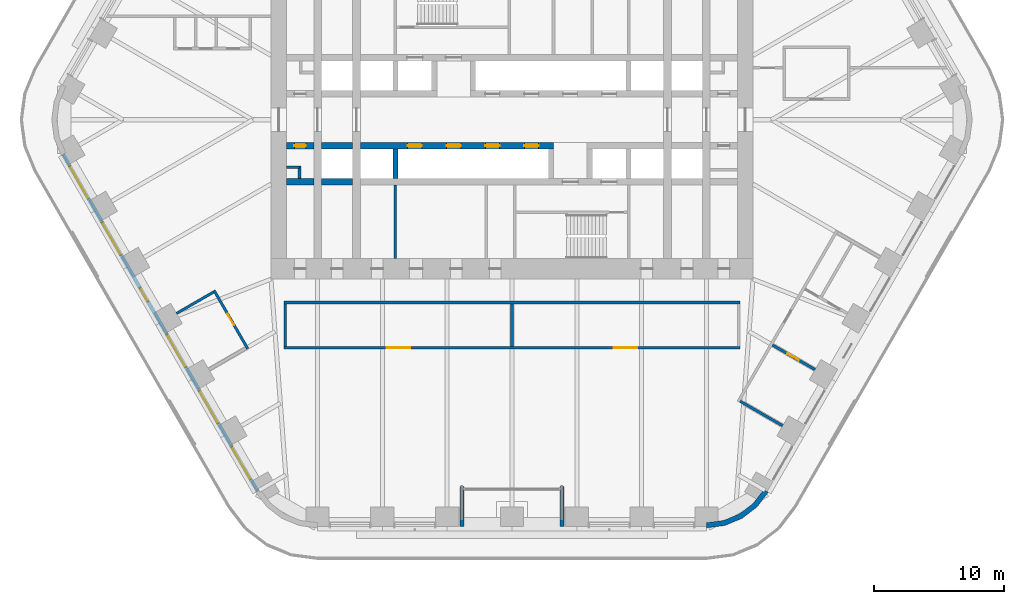
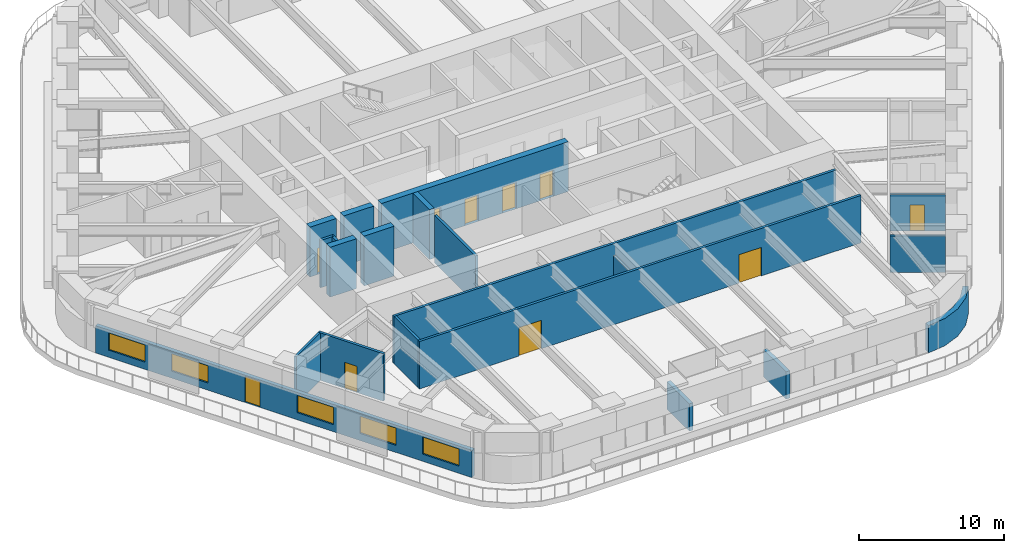
# One storey, part 17 of 24: 21 walls, 10 doors, 5 windows, 15 openings.
"""IFC4 building model written with IfcOpenShell, lengths in metres."""

from ifc_helpers import new_model, si_unit, direction, frame, frame_2d, origin, place, context, subcontext, project, spatial, polyline, rectangle, outline, extrude, material, layer, layer_set, type_object, element, fill, save


model = new_model("IFC4")

# Units and contexts
model_context = context("Model", 3, precision=1e-05, world=origin(), true_north=direction((0.0, 1.0)))
body_context = subcontext(model_context, "Body", "Model", "MODEL_VIEW")
ifc_project = project(units=[si_unit("LENGTHUNIT", "METRE"), si_unit("AREAUNIT", "SQUARE_METRE"), si_unit("VOLUMEUNIT", "CUBIC_METRE"), si_unit("PLANEANGLEUNIT", "RADIAN"), si_unit("MASSUNIT", "GRAM", prefix="KILO")], contexts=[model_context])

# Site, building, storey
site_placement = place(None, origin())
site = spatial("IfcSite", under=ifc_project, at=site_placement, CompositionType="ELEMENT")
building_placement = place(site_placement, origin())
building = spatial("IfcBuilding", under=site, at=building_placement, Name="Tarfa Lantern Tower", CompositionType="ELEMENT")
storey_placement = place(building_placement, frame((0.0, 0.0, 123.699951171875)))
storey = spatial("IfcBuildingStorey", under=building, at=storey_placement, Name="L27", CompositionType="ELEMENT", Elevation=123.699951171875)

# Wall, openings, door, windows
ifc_material_1 = material(Name="Limestone cladding on blockwork", Category="masonry")
ifc_layer_1 = layer(ifc_material_1, 0.300048828125)
ifc_layer_set_1 = layer_set([ifc_layer_1], Name="EW1 STONE-CLAD WALL 300")
wall_type_1 = type_object("IfcWallType", Name="EW1 STONE-CLAD WALL 300", PredefinedType="SOLIDWALL", material=ifc_layer_set_1)
wall_1_placement = place(storey_placement, frame((-34.655517578125, -2.675048828125, 0.0), z_axis=(0.0, 0.0, 1.0), x_axis=(0.500003084452, -0.866023622968, 0.0)))
wall_1 = element("IfcWall", 1, at=wall_1_placement, inside=storey, type_object=wall_type_1, Name="Stone wall SW", PredefinedType="SOLIDWALL", context=body_context, shape_type="SweptSolid", body=[
    extrude(rectangle(XDim=30.022216796875, YDim=0.300048828125, at=frame_2d((15.01123046875, 0.0))), origin(), (0.0, 0.0, 1.0), 2.300048828125),
])
opening_1_placement = place(wall_1_placement, frame((1.0517578125, 0.0, 0.60009765625)))
opening_1 = element("IfcOpeningElement", 2, at=opening_1_placement, cuts=wall_1, Name="Opening W8", PredefinedType="OPENING", context=body_context, shape_type="SweptSolid", body=[
    extrude(rectangle(XDim=2.89990234375, YDim=1.449951171875, at=frame_2d((1.449951171875, 0.72509765625))), frame((0.0, 0.159912109375, 0.0), z_axis=(0.0, -1.0, 0.0), x_axis=(1.0, 0.0, 0.0)), (0.0, 0.0, 1.0), 0.320068359375),
])
opening_2_placement = place(wall_1_placement, frame((6.0556640625, 0.0, 0.60009765625)))
opening_2 = element("IfcOpeningElement", 3, at=opening_2_placement, cuts=wall_1, Name="Opening W8", PredefinedType="OPENING", context=body_context, shape_type="SweptSolid", body=[
    extrude(rectangle(XDim=2.89990234375, YDim=1.449951171875, at=frame_2d((1.449951171875, 0.72509765625))), frame((0.0, 0.159912109375, 0.0), z_axis=(0.0, -1.0, 0.0), x_axis=(1.0, 0.0, 0.0)), (0.0, 0.0, 1.0), 0.320068359375),
])
opening_3_placement = place(wall_1_placement, frame((11.9091796875, 0.0, 0.0)))
opening_3 = element("IfcOpeningElement", 4, at=opening_3_placement, cuts=wall_1, Name="Opening D50", PredefinedType="OPENING", context=body_context, shape_type="SweptSolid", body=[
    extrude(rectangle(XDim=1.199951171875, YDim=2.199951171875, at=frame_2d((0.60009765625, 1.10009765625))), frame((0.0, 0.159912109375, 0.0), z_axis=(0.0, -1.0, 0.0), x_axis=(1.0, 0.0, 0.0)), (0.0, 0.0, 1.0), 0.320068359375),
])
opening_4_placement = place(wall_1_placement, frame((16.06298828125, 0.0, 0.60009765625)))
opening_4 = element("IfcOpeningElement", 5, at=opening_4_placement, cuts=wall_1, Name="Opening W8", PredefinedType="OPENING", context=body_context, shape_type="SweptSolid", body=[
    extrude(rectangle(XDim=2.89990234375, YDim=1.449951171875, at=frame_2d((1.449951171875, 0.72509765625))), frame((0.0, 0.159912109375, 0.0), z_axis=(0.0, -1.0, 0.0), x_axis=(1.0, 0.0, 0.0)), (0.0, 0.0, 1.0), 0.320068359375),
])
opening_5_placement = place(wall_1_placement, frame((21.066650390625, 0.0, 0.60009765625)))
opening_5 = element("IfcOpeningElement", 6, at=opening_5_placement, cuts=wall_1, Name="Opening W8", PredefinedType="OPENING", context=body_context, shape_type="SweptSolid", body=[
    extrude(rectangle(XDim=2.89990234375, YDim=1.449951171875, at=frame_2d((1.449951171875, 0.72509765625))), frame((0.0, 0.159912109375, 0.0), z_axis=(0.0, -1.0, 0.0), x_axis=(1.0, 0.0, 0.0)), (0.0, 0.0, 1.0), 0.320068359375),
])
opening_6_placement = place(wall_1_placement, frame((26.0703125, 0.0, 0.60009765625)))
opening_6 = element("IfcOpeningElement", 7, at=opening_6_placement, cuts=wall_1, Name="Opening W8", PredefinedType="OPENING", context=body_context, shape_type="SweptSolid", body=[
    extrude(rectangle(XDim=2.89990234375, YDim=1.449951171875, at=frame_2d((1.449951171875, 0.72509765625))), frame((0.0, 0.159912109375, 0.0), z_axis=(0.0, -1.0, 0.0), x_axis=(1.0, 0.0, 0.0)), (0.0, 0.0, 1.0), 0.320068359375),
])
ifc_material_2 = material(Name="Aluminium framed glazed door", Category="aluminium")
door_type_1 = type_object("IfcDoorType", Name="BE5 BALCONY DOOR 1200x2200", OperationType="SINGLE_SWING_RIGHT", PredefinedType="DOOR", material=ifc_material_2)
door_1_placement = place(opening_3_placement, origin())
door_1 = element("IfcDoor", 8, at=door_1_placement, inside=storey, type_object=door_type_1, Name="Balcony door SW", OperationType="SINGLE_SWING_LEFT", OverallHeight=2.199951171875, OverallWidth=1.199951171875, PredefinedType="DOOR", context=body_context, shape_type="SweptSolid", body=[
    extrude(rectangle(XDim=1.199951171875, YDim=2.199951171875, at=frame_2d((0.60009765625, 1.10009765625))), frame((0.0, 0.02490234375, 0.0), z_axis=(0.0, -1.0, 0.0), x_axis=(1.0, 0.0, 0.0)), (0.0, 0.0, 1.0), 0.050048828125),
])
fill(opening_3, door_1)
ifc_material_3 = material(Name="Aluminium frame, double glazed", Category="aluminium")
window_type = type_object("IfcWindowType", Name="W8 FULL-HEIGHT GLAZING 2900x1450", PartitioningType="SINGLE_PANEL", PredefinedType="WINDOW", material=ifc_material_3)
window_1_placement = place(opening_1_placement, origin())
window_1 = element("IfcWindow", 9, at=window_1_placement, inside=storey, type_object=window_type, Name="Window SW 1", OverallHeight=1.449951171875, OverallWidth=2.89990234375, PartitioningType="SINGLE_PANEL", PredefinedType="WINDOW", context=body_context, shape_type="SweptSolid", body=[
    extrude(rectangle(XDim=2.89990234375, YDim=1.449951171875, at=frame_2d((1.449951171875, 0.72509765625))), frame((0.0, 0.030029296875, 0.0), z_axis=(0.0, -1.0, 0.0), x_axis=(1.0, 0.0, 0.0)), (0.0, 0.0, 1.0), 0.06005859375),
])
fill(opening_1, window_1)
window_2_placement = place(opening_2_placement, origin())
window_2 = element("IfcWindow", 10, at=window_2_placement, inside=storey, type_object=window_type, Name="Window SW 2", OverallHeight=1.449951171875, OverallWidth=2.89990234375, PartitioningType="SINGLE_PANEL", PredefinedType="WINDOW", context=body_context, shape_type="SweptSolid", body=[
    extrude(rectangle(XDim=2.89990234375, YDim=1.449951171875, at=frame_2d((1.449951171875, 0.72509765625))), frame((0.0, 0.030029296875, 0.0), z_axis=(0.0, -1.0, 0.0), x_axis=(1.0, 0.0, 0.0)), (0.0, 0.0, 1.0), 0.06005859375),
])
fill(opening_2, window_2)
window_3_placement = place(opening_4_placement, origin())
window_3 = element("IfcWindow", 11, at=window_3_placement, inside=storey, type_object=window_type, Name="Window SW 4", OverallHeight=1.449951171875, OverallWidth=2.89990234375, PartitioningType="SINGLE_PANEL", PredefinedType="WINDOW", context=body_context, shape_type="SweptSolid", body=[
    extrude(rectangle(XDim=2.89990234375, YDim=1.449951171875, at=frame_2d((1.449951171875, 0.72509765625))), frame((0.0, 0.030029296875, 0.0), z_axis=(0.0, -1.0, 0.0), x_axis=(1.0, 0.0, 0.0)), (0.0, 0.0, 1.0), 0.06005859375),
])
fill(opening_4, window_3)
window_4_placement = place(opening_5_placement, origin())
window_4 = element("IfcWindow", 12, at=window_4_placement, inside=storey, type_object=window_type, Name="Window SW 5", OverallHeight=1.449951171875, OverallWidth=2.89990234375, PartitioningType="SINGLE_PANEL", PredefinedType="WINDOW", context=body_context, shape_type="SweptSolid", body=[
    extrude(rectangle(XDim=2.89990234375, YDim=1.449951171875, at=frame_2d((1.449951171875, 0.72509765625))), frame((0.0, 0.030029296875, 0.0), z_axis=(0.0, -1.0, 0.0), x_axis=(1.0, 0.0, 0.0)), (0.0, 0.0, 1.0), 0.06005859375),
])
fill(opening_5, window_4)
window_5_placement = place(opening_6_placement, origin())
window_5 = element("IfcWindow", 13, at=window_5_placement, inside=storey, type_object=window_type, Name="Window SW 6", OverallHeight=1.449951171875, OverallWidth=2.89990234375, PartitioningType="SINGLE_PANEL", PredefinedType="WINDOW", context=body_context, shape_type="SweptSolid", body=[
    extrude(rectangle(XDim=2.89990234375, YDim=1.449951171875, at=frame_2d((1.449951171875, 0.72509765625))), frame((0.0, 0.030029296875, 0.0), z_axis=(0.0, -1.0, 0.0), x_axis=(1.0, 0.0, 0.0)), (0.0, 0.0, 1.0), 0.06005859375),
])
fill(opening_6, window_5)

# Walls
for number, where, z_axis, x_axis, name in (
    (14, (-3.853759765625, -31.39990234375, 0.0), (0.0, 0.0, 1.0), (0.0, 1.0, 0.0), "Loggia return S 1"),
    (15, (3.853759765625, -31.39990234375, 0.0), (0.0, 0.0, 1.0), (0.0, 1.0, 0.0), "Loggia return S 2"),
):
    element("IfcWall", number, at=place(storey_placement, frame(where, z_axis=z_axis, x_axis=x_axis)), inside=storey, type_object=wall_type_1, Name=name, PredefinedType="SOLIDWALL", context=body_context, shape_type="SweptSolid", body=[
        extrude(rectangle(XDim=3.099853515625, YDim=0.300048828125, at=frame_2d((1.5498046875, 0.0))), origin(), (0.0, 0.0, 1.0), 2.300048828125),
    ])
ifc_layer_2 = layer(ifc_material_1, 0.39990234375)
ifc_layer_set_2 = layer_set([ifc_layer_2], Name="EW2 CURVED STONE CORNER 400")
wall_type_2 = type_object("IfcWallType", Name="EW2 CURVED STONE CORNER 400", PredefinedType="SOLIDWALL", material=ifc_layer_set_2)
wall_2_placement = place(storey_placement, origin())
element("IfcWall", 16, at=wall_2_placement, inside=storey, type_object=wall_type_2, Name="Stone corner S-SE", PredefinedType="SOLIDWALL", context=body_context, shape_type="SweptSolid", body=[
    extrude(outline(polyline([(15.010986328125, -31.5), (16.4345703125, -31.3125), (17.760986328125, -30.76318359375), (18.900146484375, -29.88916015625), (19.774169921875, -28.75), (19.427734375, -28.550048828125), (18.617431640625, -29.606201171875), (17.56103515625, -30.416748046875), (16.3310546875, -30.92626953125), (15.010986328125, -31.10009765625), (15.010986328125, -31.5)])), origin(), (0.0, 0.0, 1.0), 2.300048828125),
])
ifc_material_4 = material(Name="Concrete blockwork", Category="masonry")
ifc_layer_3 = layer(ifc_material_4, 0.199951171875)
ifc_layer_set_3 = layer_set([ifc_layer_3], Name="IW1 BLOCKWORK PARTITION 200 EI 120")
wall_type_3 = type_object("IfcWallType", Name="IW1 BLOCKWORK PARTITION 200 EI 120", PredefinedType="PARTITIONING", material=ifc_layer_set_3)
wall_3_placement = place(storey_placement, frame((-9.0, -5.050048828125, 0.0), z_axis=(0.0, 0.0, 1.0), x_axis=(0.0, -1.0, 0.0)))
element("IfcWall", 17, at=wall_3_placement, inside=storey, type_object=wall_type_3, Name="Core partition", PredefinedType="PARTITIONING", context=body_context, shape_type="SweptSolid", body=[
    extrude(rectangle(XDim=5.64990234375, YDim=0.199951171875, at=frame_2d((2.824951171875, 0.0))), origin(), (0.0, 0.0, 1.0), 4.0),
])
for number, where, z_axis, x_axis, name in (
    (18, (-16.39990234375, -3.64990234375, 0.0), (0.0, 0.0, 1.0), (-1.0, 0.0, 0.0), "Core partition"),
    (19, (-16.39990234375, -3.550048828125, 0.0), (0.0, 0.0, 1.0), (0.0, -1.0, 0.0), "Core partition"),
):
    element("IfcWall", number, at=place(storey_placement, frame(where, z_axis=z_axis, x_axis=x_axis)), inside=storey, type_object=wall_type_3, Name=name, PredefinedType="PARTITIONING", context=body_context, shape_type="SweptSolid", body=[
        extrude(rectangle(XDim=1.0, YDim=0.199951171875, at=frame_2d((0.5, 0.0))), origin(), (0.0, 0.0, 1.0), 4.0),
    ])
ifc_material_5 = material(Name="Gypsum board on steel studs", Category="steel")
ifc_layer_4 = layer(ifc_material_5, 0.2099609375)
ifc_layer_set_4 = layer_set([ifc_layer_4], Name="IW2 ACOUSTIC PARTITION 200")
wall_type_4 = type_object("IfcWallType", Name="IW2 ACOUSTIC PARTITION 200", PredefinedType="PARTITIONING", material=ifc_layer_set_4)
wall_4_placement = place(storey_placement, frame((17.60009765625, -14.10009765625, 0.0), z_axis=(0.0, 0.0, 1.0), x_axis=(-1.0, 0.0, 0.0)))
element("IfcWall", 20, at=wall_4_placement, inside=storey, type_object=wall_type_4, Name="Partition", PredefinedType="PARTITIONING", context=body_context, shape_type="SweptSolid", body=[
    extrude(rectangle(XDim=35.2001953125, YDim=0.199951171875, at=frame_2d((17.60009765625, 0.0))), origin(), (0.0, 0.0, 1.0), 4.0),
])

# Wall, openings, doors
wall_5_placement = place(storey_placement, frame((17.60009765625, -17.60009765625, 0.0), z_axis=(0.0, 0.0, 1.0), x_axis=(-1.0, 0.0, 0.0)))
wall_5 = element("IfcWall", 21, at=wall_5_placement, inside=storey, type_object=wall_type_4, Name="Partition", PredefinedType="PARTITIONING", context=body_context, shape_type="SweptSolid", body=[
    extrude(rectangle(XDim=35.2001953125, YDim=0.199951171875, at=frame_2d((17.60009765625, 0.0))), origin(), (0.0, 0.0, 1.0), 4.0),
])
opening_7_placement = place(wall_5_placement, frame((7.949951171875, 0.0, 0.0)))
opening_7 = element("IfcOpeningElement", 22, at=opening_7_placement, cuts=wall_5, Name="Opening D42", PredefinedType="OPENING", context=body_context, shape_type="SweptSolid", body=[
    extrude(rectangle(XDim=1.800048828125, YDim=2.39990234375, at=frame_2d((0.89990234375, 1.199951171875))), frame((0.0, 0.10986328125, 0.0), z_axis=(0.0, -1.0, 0.0), x_axis=(1.0, 0.0, 0.0)), (0.0, 0.0, 1.0), 0.219970703125),
])
opening_8_placement = place(wall_5_placement, frame((25.449951171875, 0.0, 0.0)))
opening_8 = element("IfcOpeningElement", 23, at=opening_8_placement, cuts=wall_5, Name="Opening D43", PredefinedType="OPENING", context=body_context, shape_type="SweptSolid", body=[
    extrude(rectangle(XDim=1.800048828125, YDim=2.39990234375, at=frame_2d((0.89990234375, 1.199951171875))), frame((0.0, 0.10986328125, 0.0), z_axis=(0.0, -1.0, 0.0), x_axis=(1.0, 0.0, 0.0)), (0.0, 0.0, 1.0), 0.219970703125),
])
ifc_material_6 = material(Name="Timber door", Category="wood")
door_type_2 = type_object("IfcDoorType", Name="DR2 ROOM DOOR 1800x2400", OperationType="DOUBLE_DOOR_SINGLE_SWING", PredefinedType="DOOR", material=ifc_material_6)
door_2_placement = place(opening_7_placement, frame((1.800048828125, 0.0, 0.0), z_axis=(0.0, 0.0, 1.0), x_axis=(-1.0, 0.0, 0.0)))
door_2 = element("IfcDoor", 24, at=door_2_placement, inside=storey, type_object=door_type_2, Name="Meeting room door", OperationType="DOUBLE_DOOR_SINGLE_SWING", OverallHeight=2.39990234375, OverallWidth=1.800048828125, PredefinedType="DOOR", context=body_context, shape_type="SweptSolid", body=[
    extrude(rectangle(XDim=1.800048828125, YDim=2.39990234375, at=frame_2d((0.89990234375, 1.199951171875))), frame((0.0, 0.02490234375, 0.0), z_axis=(0.0, -1.0, 0.0), x_axis=(1.0, 0.0, 0.0)), (0.0, 0.0, 1.0), 0.050048828125),
])
fill(opening_7, door_2)
door_3_placement = place(opening_8_placement, frame((1.800048828125, 0.0, 0.0), z_axis=(0.0, 0.0, 1.0), x_axis=(-1.0, 0.0, 0.0)))
door_3 = element("IfcDoor", 25, at=door_3_placement, inside=storey, type_object=door_type_2, Name="File room door", OperationType="DOUBLE_DOOR_SINGLE_SWING", OverallHeight=2.39990234375, OverallWidth=1.800048828125, PredefinedType="DOOR", context=body_context, shape_type="SweptSolid", body=[
    extrude(rectangle(XDim=1.800048828125, YDim=2.39990234375, at=frame_2d((0.89990234375, 1.199951171875))), frame((0.0, 0.02490234375, 0.0), z_axis=(0.0, -1.0, 0.0), x_axis=(1.0, 0.0, 0.0)), (0.0, 0.0, 1.0), 0.050048828125),
])
fill(opening_8, door_3)

# Walls
wall_6_placement = place(storey_placement, frame((0.0, -14.199951171875, 0.0), z_axis=(0.0, 0.0, 1.0), x_axis=(0.0, -1.0, 0.0)))
element("IfcWall", 26, at=wall_6_placement, inside=storey, type_object=wall_type_4, Name="Partition", PredefinedType="PARTITIONING", context=body_context, shape_type="SweptSolid", body=[
    extrude(rectangle(XDim=3.300048828125, YDim=0.199951171875, at=frame_2d((1.64990234375, 0.0))), origin(), (0.0, 0.0, 1.0), 2.991943359375),
])
wall_7_placement = place(storey_placement, frame((-17.5, -14.199951171875, 0.0), z_axis=(0.0, 0.0, 1.0), x_axis=(0.0, -1.0, 0.0)))
element("IfcWall", 27, at=wall_7_placement, inside=storey, type_object=wall_type_4, Name="Partition", PredefinedType="PARTITIONING", context=body_context, shape_type="SweptSolid", body=[
    extrude(rectangle(XDim=3.300048828125, YDim=0.199951171875, at=frame_2d((1.64990234375, 0.0))), origin(), (0.0, 0.0, 1.0), 4.0),
])
wall_8_placement = place(storey_placement, frame((17.599609375, -21.716552734375, 0.0), z_axis=(0.0, 0.0, 1.0), x_axis=(0.866000483506, -0.500043160704, 0.0)))
element("IfcWall", 28, at=wall_8_placement, inside=storey, type_object=wall_type_4, Name="Partition", PredefinedType="PARTITIONING", context=body_context, shape_type="SweptSolid", body=[
    extrude(rectangle(XDim=3.800048828125, YDim=0.199951171875, at=frame_2d((1.89990234375, 0.0))), origin(), (0.0, 0.0, 1.0), 3.08154296875),
])

# Wall, opening, door
wall_9_placement = place(storey_placement, frame((20.101318359375, -17.38330078125, 0.0), z_axis=(0.0, 0.0, 1.0), x_axis=(0.86601654697, -0.500015340139, 0.0)))
wall_9 = element("IfcWall", 29, at=wall_9_placement, inside=storey, type_object=wall_type_4, Name="Partition", PredefinedType="PARTITIONING", context=body_context, shape_type="SweptSolid", body=[
    extrude(rectangle(XDim=3.80029296875, YDim=0.199951171875, at=frame_2d((1.900146484375, 0.0))), origin(), (0.0, 0.0, 1.0), 3.08154296875),
])
opening_9_placement = place(wall_9_placement, frame((1.35009765625, 0.0, 0.0)))
opening_9 = element("IfcOpeningElement", 30, at=opening_9_placement, cuts=wall_9, Name="Opening D37", PredefinedType="OPENING", context=body_context, shape_type="SweptSolid", body=[
    extrude(rectangle(XDim=1.0, YDim=2.199951171875, at=frame_2d((0.5, 1.10009765625))), frame((0.0, 0.10986328125, 0.0), z_axis=(0.0, -1.0, 0.0), x_axis=(1.0, 0.0, 0.0)), (0.0, 0.0, 1.0), 0.219970703125),
])
door_type_3 = type_object("IfcDoorType", Name="DR1 ROOM DOOR 1000x2200", OperationType="SINGLE_SWING_LEFT", PredefinedType="DOOR", material=ifc_material_6)
door_4_placement = place(opening_9_placement, origin())
door_4 = element("IfcDoor", 31, at=door_4_placement, inside=storey, type_object=door_type_3, Name="Controller's office door", OperationType="SINGLE_SWING_RIGHT", OverallHeight=2.199951171875, OverallWidth=1.0, PredefinedType="DOOR", context=body_context, shape_type="SweptSolid", body=[
    extrude(rectangle(XDim=1.0, YDim=2.199951171875, at=frame_2d((0.5, 1.10009765625))), frame((0.0, 0.02490234375, 0.0), z_axis=(0.0, -1.0, 0.0), x_axis=(1.0, 0.0, 0.0)), (0.0, 0.0, 1.0), 0.050048828125),
])
fill(opening_9, door_4)

wall_10_placement = place(storey_placement, frame((-22.999755859375, -13.163330078125, 0.0), z_axis=(0.0, 0.0, 1.0), x_axis=(0.500024327116, -0.866011358062, 0.0)))
wall_10 = element("IfcWall", 32, at=wall_10_placement, inside=storey, type_object=wall_type_4, Name="Partition", PredefinedType="PARTITIONING", context=body_context, shape_type="SweptSolid", body=[
    extrude(rectangle(XDim=5.203857421875, YDim=0.199951171875, at=frame_2d((2.60205078125, 0.0))), origin(), (0.0, 0.0, 1.0), 4.0),
])
opening_10_placement = place(wall_10_placement, frame((2.101806640625, 0.0, 0.0)))
opening_10 = element("IfcOpeningElement", 33, at=opening_10_placement, cuts=wall_10, Name="Opening D41", PredefinedType="OPENING", context=body_context, shape_type="SweptSolid", body=[
    extrude(rectangle(XDim=1.0, YDim=2.199951171875, at=frame_2d((0.5, 1.10009765625))), frame((0.0, 0.10986328125, 0.0), z_axis=(0.0, -1.0, 0.0), x_axis=(1.0, 0.0, 0.0)), (0.0, 0.0, 1.0), 0.219970703125),
])
door_5_placement = place(opening_10_placement, frame((1.0, 0.0, 0.0), z_axis=(0.0, 0.0, 1.0), x_axis=(-1.0, 0.0, 0.0)))
door_5 = element("IfcDoor", 34, at=door_5_placement, inside=storey, type_object=door_type_3, Name="File room door", OperationType="SINGLE_SWING_RIGHT", OverallHeight=2.199951171875, OverallWidth=1.0, PredefinedType="DOOR", context=body_context, shape_type="SweptSolid", body=[
    extrude(rectangle(XDim=1.0, YDim=2.199951171875, at=frame_2d((0.5, 1.10009765625))), frame((0.0, 0.02490234375, 0.0), z_axis=(0.0, -1.0, 0.0), x_axis=(1.0, 0.0, 0.0)), (0.0, 0.0, 1.0), 0.050048828125),
])
fill(opening_10, door_5)

# Wall
wall_11_placement = place(storey_placement, frame((-23.036376953125, -13.300048828125, 0.0), z_axis=(0.0, 0.0, 1.0), x_axis=(-0.866021716278, -0.500006386895, 0.0)))
element("IfcWall", 35, at=wall_11_placement, inside=storey, type_object=wall_type_4, Name="Partition", PredefinedType="PARTITIONING", context=body_context, shape_type="SweptSolid", body=[
    extrude(rectangle(XDim=3.2998046875, YDim=0.199951171875, at=frame_2d((1.64990234375, 0.0))), origin(), (0.0, 0.0, 1.0), 4.0),
])

# Wall, openings, doors
ifc_material_7 = material(Name="Concrete C80/95", Category="concrete")
ifc_layer_5 = layer(ifc_material_7, 0.5)
ifc_layer_set_5 = layer_set([ifc_layer_5], Name="SW5 CORE WALL 500")
wall_type_5 = type_object("IfcWallType", Name="SW5 CORE WALL 500", PredefinedType="SHEAR", material=ifc_layer_set_5)
wall_12_placement = place(storey_placement, frame((3.199951171875, -2.0, 0.0), z_axis=(0.0, 0.0, 1.0), x_axis=(-1.0, 0.0, 0.0)))
wall_12 = element("IfcWall", 36, at=wall_12_placement, inside=storey, type_object=wall_type_5, Name="Core wall lobby east S", PredefinedType="SHEAR", context=body_context, shape_type="SweptSolid", body=[
    extrude(rectangle(XDim=14.89990234375, YDim=0.5, at=frame_2d((7.449951171875, 0.0))), origin(), (0.0, 0.0, 1.0), 4.199951171875),
])
opening_11_placement = place(wall_12_placement, frame((1.14990234375, 0.0, 0.0)))
opening_11 = element("IfcOpeningElement", 37, at=opening_11_placement, cuts=wall_12, Name="Opening LD07", PredefinedType="OPENING", context=body_context, shape_type="SweptSolid", body=[
    extrude(rectangle(XDim=1.10009765625, YDim=2.199951171875, at=frame_2d((0.550048828125, 1.10009765625))), frame((0.0, 0.260009765625, 0.0), z_axis=(0.0, -1.0, 0.0), x_axis=(1.0, 0.0, 0.0)), (0.0, 0.0, 1.0), 0.52001953125),
])
opening_12_placement = place(wall_12_placement, frame((4.14990234375, 0.0, 0.0)))
opening_12 = element("IfcOpeningElement", 38, at=opening_12_placement, cuts=wall_12, Name="Opening LD08", PredefinedType="OPENING", context=body_context, shape_type="SweptSolid", body=[
    extrude(rectangle(XDim=1.10009765625, YDim=2.199951171875, at=frame_2d((0.550048828125, 1.10009765625))), frame((0.0, 0.260009765625, 0.0), z_axis=(0.0, -1.0, 0.0), x_axis=(1.0, 0.0, 0.0)), (0.0, 0.0, 1.0), 0.52001953125),
])
opening_13_placement = place(wall_12_placement, frame((7.14990234375, 0.0, 0.0)))
opening_13 = element("IfcOpeningElement", 39, at=opening_13_placement, cuts=wall_12, Name="Opening LD09", PredefinedType="OPENING", context=body_context, shape_type="SweptSolid", body=[
    extrude(rectangle(XDim=1.10009765625, YDim=2.199951171875, at=frame_2d((0.550048828125, 1.10009765625))), frame((0.0, 0.260009765625, 0.0), z_axis=(0.0, -1.0, 0.0), x_axis=(1.0, 0.0, 0.0)), (0.0, 0.0, 1.0), 0.52001953125),
])
opening_14_placement = place(wall_12_placement, frame((10.14990234375, 0.0, 0.0)))
opening_14 = element("IfcOpeningElement", 40, at=opening_14_placement, cuts=wall_12, Name="Opening LD10", PredefinedType="OPENING", context=body_context, shape_type="SweptSolid", body=[
    extrude(rectangle(XDim=1.10009765625, YDim=2.199951171875, at=frame_2d((0.550048828125, 1.10009765625))), frame((0.0, 0.260009765625, 0.0), z_axis=(0.0, -1.0, 0.0), x_axis=(1.0, 0.0, 0.0)), (0.0, 0.0, 1.0), 0.52001953125),
])
ifc_material_8 = material(Name="Stainless steel lift door", Category="steel")
door_type_4 = type_object("IfcDoorType", Name="LD2 LIFT LANDING DOOR 1100x2200", OperationType="SLIDING_TO_LEFT", PredefinedType="DOOR", material=ifc_material_8)
door_6_placement = place(opening_11_placement, frame((1.10009765625, 0.0, 0.0), z_axis=(0.0, 0.0, 1.0), x_axis=(-1.0, 0.0, 0.0)))
door_6 = element("IfcDoor", 41, at=door_6_placement, inside=storey, type_object=door_type_4, Name="Landing door PB5", OperationType="SLIDING_TO_LEFT", OverallHeight=2.199951171875, OverallWidth=1.10009765625, PredefinedType="DOOR", context=body_context, shape_type="SweptSolid", body=[
    extrude(rectangle(XDim=1.10009765625, YDim=2.199951171875, at=frame_2d((0.550048828125, 1.10009765625))), frame((0.0, 0.02490234375, 0.0), z_axis=(0.0, -1.0, 0.0), x_axis=(1.0, 0.0, 0.0)), (0.0, 0.0, 1.0), 0.050048828125),
])
fill(opening_11, door_6)
door_7_placement = place(opening_12_placement, frame((1.10009765625, 0.0, 0.0), z_axis=(0.0, 0.0, 1.0), x_axis=(-1.0, 0.0, 0.0)))
door_7 = element("IfcDoor", 42, at=door_7_placement, inside=storey, type_object=door_type_4, Name="Landing door PB6", OperationType="SLIDING_TO_LEFT", OverallHeight=2.199951171875, OverallWidth=1.10009765625, PredefinedType="DOOR", context=body_context, shape_type="SweptSolid", body=[
    extrude(rectangle(XDim=1.10009765625, YDim=2.199951171875, at=frame_2d((0.550048828125, 1.10009765625))), frame((0.0, 0.02490234375, 0.0), z_axis=(0.0, -1.0, 0.0), x_axis=(1.0, 0.0, 0.0)), (0.0, 0.0, 1.0), 0.050048828125),
])
fill(opening_12, door_7)
door_8_placement = place(opening_13_placement, frame((1.10009765625, 0.0, 0.0), z_axis=(0.0, 0.0, 1.0), x_axis=(-1.0, 0.0, 0.0)))
door_8 = element("IfcDoor", 43, at=door_8_placement, inside=storey, type_object=door_type_4, Name="Landing door PB7", OperationType="SLIDING_TO_LEFT", OverallHeight=2.199951171875, OverallWidth=1.10009765625, PredefinedType="DOOR", context=body_context, shape_type="SweptSolid", body=[
    extrude(rectangle(XDim=1.10009765625, YDim=2.199951171875, at=frame_2d((0.550048828125, 1.10009765625))), frame((0.0, 0.02490234375, 0.0), z_axis=(0.0, -1.0, 0.0), x_axis=(1.0, 0.0, 0.0)), (0.0, 0.0, 1.0), 0.050048828125),
])
fill(opening_13, door_8)
door_9_placement = place(opening_14_placement, frame((1.10009765625, 0.0, 0.0), z_axis=(0.0, 0.0, 1.0), x_axis=(-1.0, 0.0, 0.0)))
door_9 = element("IfcDoor", 44, at=door_9_placement, inside=storey, type_object=door_type_4, Name="Landing door PB8", OperationType="SLIDING_TO_LEFT", OverallHeight=2.199951171875, OverallWidth=1.10009765625, PredefinedType="DOOR", context=body_context, shape_type="SweptSolid", body=[
    extrude(rectangle(XDim=1.10009765625, YDim=2.199951171875, at=frame_2d((0.550048828125, 1.10009765625))), frame((0.0, 0.02490234375, 0.0), z_axis=(0.0, -1.0, 0.0), x_axis=(1.0, 0.0, 0.0)), (0.0, 0.0, 1.0), 0.050048828125),
])
fill(opening_14, door_9)

# Wall
wall_13_placement = place(storey_placement, frame((-12.300048828125, -2.0, 0.0), z_axis=(0.0, 0.0, 1.0), x_axis=(-1.0, 0.0, 0.0)))
element("IfcWall", 45, at=wall_13_placement, inside=storey, type_object=wall_type_5, Name="Core wall lobby east S", PredefinedType="SHEAR", context=body_context, shape_type="SweptSolid", body=[
    extrude(rectangle(XDim=2.39990234375, YDim=0.5, at=frame_2d((1.199951171875, 0.0))), origin(), (0.0, 0.0, 1.0), 4.199951171875),
])

# Wall, opening, door
wall_14_placement = place(storey_placement, frame((-15.300048828125, -2.0, 0.0), z_axis=(0.0, 0.0, 1.0), x_axis=(-1.0, 0.0, 0.0)))
wall_14 = element("IfcWall", 46, at=wall_14_placement, inside=storey, type_object=wall_type_5, Name="Core wall lobby east S", PredefinedType="SHEAR", context=body_context, shape_type="SweptSolid", body=[
    extrude(rectangle(XDim=2.099853515625, YDim=0.5, at=frame_2d((1.0498046875, 0.0))), origin(), (0.0, 0.0, 1.0), 4.199951171875),
])
opening_15_placement = place(wall_14_placement, frame((0.60009765625, 0.0, 0.0)))
opening_15 = element("IfcOpeningElement", 47, at=opening_15_placement, cuts=wall_14, Name="Opening D18", PredefinedType="OPENING", context=body_context, shape_type="SweptSolid", body=[
    extrude(rectangle(XDim=0.89990234375, YDim=2.199951171875, at=frame_2d((0.449951171875, 1.10009765625))), frame((0.0, 0.260009765625, 0.0), z_axis=(0.0, -1.0, 0.0), x_axis=(1.0, 0.0, 0.0)), (0.0, 0.0, 1.0), 0.52001953125),
])
ifc_material_9 = material(Name="Steel fire door", Category="steel")
door_type_5 = type_object("IfcDoorType", Name="DF6 SERVICE ROOM DOOR 900x2200", OperationType="SINGLE_SWING_LEFT", PredefinedType="DOOR", material=ifc_material_9)
door_10_placement = place(opening_15_placement, origin())
door_10 = element("IfcDoor", 48, at=door_10_placement, inside=storey, type_object=door_type_5, Name="Service room door", OperationType="SINGLE_SWING_LEFT", OverallHeight=2.199951171875, OverallWidth=0.89990234375, PredefinedType="DOOR", context=body_context, shape_type="SweptSolid", body=[
    extrude(rectangle(XDim=0.89990234375, YDim=2.199951171875, at=frame_2d((0.449951171875, 1.10009765625))), frame((0.0, 0.02490234375, 0.0), z_axis=(0.0, -1.0, 0.0), x_axis=(1.0, 0.0, 0.0)), (0.0, 0.0, 1.0), 0.050048828125),
])
fill(opening_15, door_10)

# Walls
wall_15_placement = place(storey_placement, frame((-12.300048828125, -4.800048828125, 0.0), z_axis=(0.0, 0.0, 1.0), x_axis=(-1.0, 0.0, 0.0)))
element("IfcWall", 49, at=wall_15_placement, inside=storey, type_object=wall_type_5, Name="Core wall rear S", PredefinedType="SHEAR", context=body_context, shape_type="SweptSolid", body=[
    extrude(rectangle(XDim=2.39990234375, YDim=0.5, at=frame_2d((1.199951171875, 0.0))), origin(), (0.0, 0.0, 1.0), 4.199951171875),
])
wall_16_placement = place(storey_placement, frame((-15.300048828125, -4.800048828125, 0.0), z_axis=(0.0, 0.0, 1.0), x_axis=(-1.0, 0.0, 0.0)))
element("IfcWall", 50, at=wall_16_placement, inside=storey, type_object=wall_type_5, Name="Core wall rear S", PredefinedType="SHEAR", context=body_context, shape_type="SweptSolid", body=[
    extrude(rectangle(XDim=2.099853515625, YDim=0.5, at=frame_2d((1.0498046875, 0.0))), origin(), (0.0, 0.0, 1.0), 4.199951171875),
])
ifc_layer_6 = layer(ifc_material_7, 0.39990234375)
ifc_layer_set_6 = layer_set([ifc_layer_6], Name="SW6 CORE WALL 400")
wall_type_6 = type_object("IfcWallType", Name="SW6 CORE WALL 400", PredefinedType="SHEAR", material=ifc_layer_set_6)
wall_17_placement = place(storey_placement, frame((-9.0, -2.25, 0.0), z_axis=(0.0, 0.0, 1.0), x_axis=(0.0, -1.0, 0.0)))
element("IfcWall", 51, at=wall_17_placement, inside=storey, type_object=wall_type_6, Name="Core wall divider S", PredefinedType="SHEAR", context=body_context, shape_type="SweptSolid", body=[
    extrude(rectangle(XDim=2.300048828125, YDim=0.39990234375, at=frame_2d((1.14990234375, 0.0))), origin(), (0.0, 0.0, 1.0), 4.199951171875),
])

save(model, "model.ifc")
